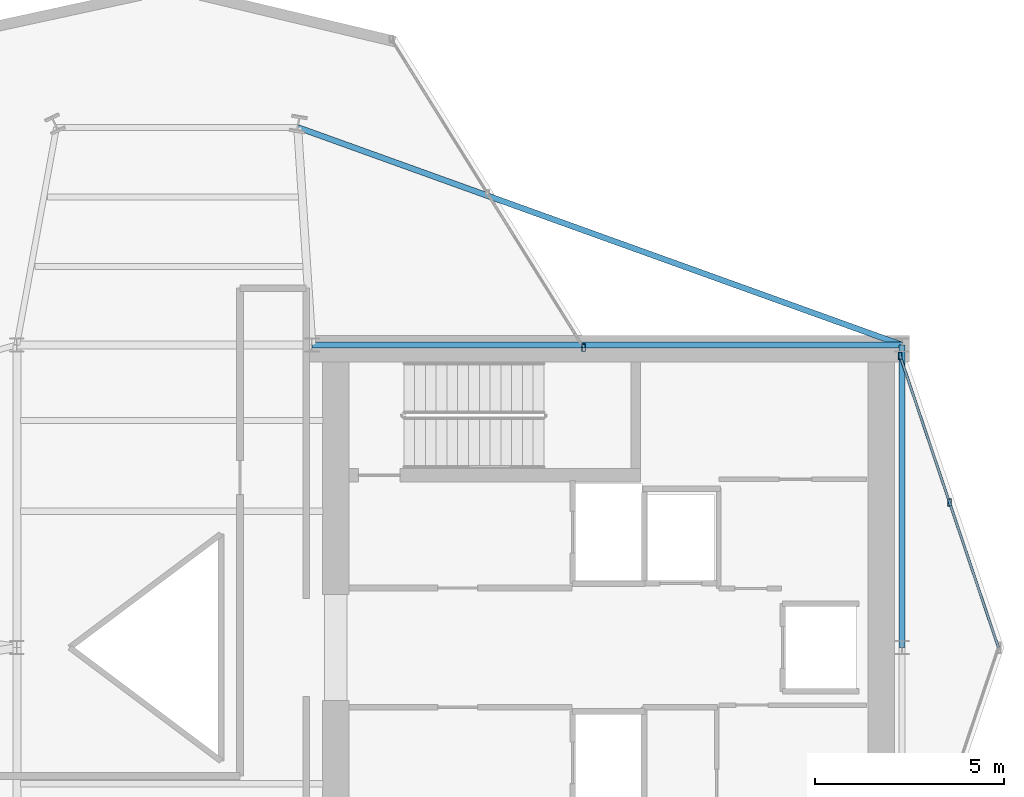
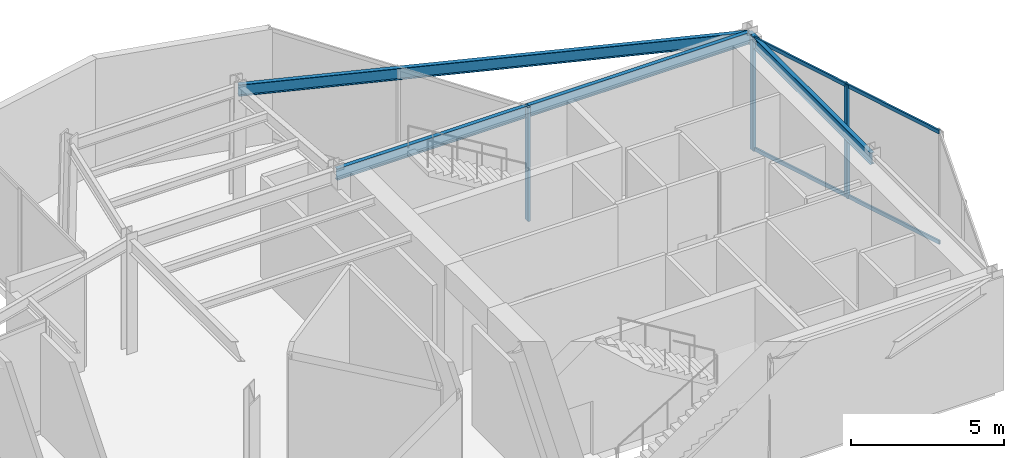
# One storey, part 7 of 14: 5 members, 3 beams, 2 elements without a shape of their own.
"""IFC4 building model written with IfcOpenShell, lengths in metres."""

from ifc_helpers import new_model, si_unit, direction, frame, origin, origin_2d, place, context, subcontext, project, spatial, hollow_rectangle, i_section, extrude, material, layer, layer_set, material_profile, profile_set, type_object, element, aggregate, save


model = new_model("IFC4")

# Units and contexts
model_context = context("Model", 3, precision=1e-05, world=origin(), true_north=direction((0.0, 1.0)))
body_context = subcontext(model_context, "Body", "Model", "MODEL_VIEW")
ifc_project = project(units=[si_unit("LENGTHUNIT", "METRE"), si_unit("AREAUNIT", "SQUARE_METRE"), si_unit("VOLUMEUNIT", "CUBIC_METRE"), si_unit("PLANEANGLEUNIT", "RADIAN"), si_unit("MASSUNIT", "GRAM", prefix="KILO")], contexts=[model_context])

# Site, building, storey
site_placement = place(None, origin())
site = spatial("IfcSite", under=ifc_project, at=site_placement, CompositionType="ELEMENT")
building_placement = place(site_placement, origin())
building = spatial("IfcBuilding", under=site, at=building_placement, Name="Veymaron Broadcast Tower", CompositionType="ELEMENT")
storey_placement = place(building_placement, frame((0.0, 0.0, 187.050048828125)))
storey = spatial("IfcBuildingStorey", under=building, at=storey_placement, Name="L43", CompositionType="ELEMENT", Elevation=187.050048828125)

# Beams
ifc_material_1 = material(Name="Structural steel ASTM A992 Gr 50", Category="steel")
ifc_material_profile_1 = material_profile(ifc_material_1, i_section(OverallWidth=0.154052734375, OverallDepth=0.458984375, WebThickness=0.009033203125, FlangeThickness=0.015380859375, at=origin_2d()), Name="W460X68")
ifc_profile_set_1 = profile_set([ifc_material_profile_1], Name="Structural steel ASTM A992 Gr 50")
beam_type = type_object("IfcBeamType", Name="BM-SP2", PredefinedType="SPANDREL", material=ifc_profile_set_1)
beam_1_placement = place(storey_placement, frame((39.0, 32.0, 4.310546875), z_axis=(1.0, 0.0, 0.0), x_axis=(0.0, 1.0, 0.0)))
element("IfcBeam", 1, at=beam_1_placement, inside=storey, type_object=beam_type, Name="L43 primary structural floor girder", PredefinedType="SPANDREL", context=body_context, shape_type="SweptSolid", body=[
    extrude(i_section(OverallWidth=0.154052734375, OverallDepth=0.458984375, WebThickness=0.009033203125, FlangeThickness=0.015380859375, at=origin_2d()), origin(), (0.0, 0.0, 1.0), 15.60009765625),
])
beam_2_placement = place(storey_placement, frame((54.60009765625, 24.0, 4.310546875), z_axis=(0.0, 1.0, 0.0), x_axis=(-1.0, 0.0, 0.0)))
element("IfcBeam", 2, at=beam_2_placement, inside=storey, type_object=beam_type, Name="L43 primary structural floor girder", PredefinedType="SPANDREL", context=body_context, shape_type="SweptSolid", body=[
    extrude(i_section(OverallWidth=0.154052734375, OverallDepth=0.458984375, WebThickness=0.009033203125, FlangeThickness=0.015380859375, at=origin_2d()), origin(), (0.0, 0.0, 1.0), 8.0),
])
beam_3_placement = place(storey_placement, frame((54.60009765625, 32.0, 4.310546875), z_axis=(-0.940906840948, 0.33866549375, 0.0), x_axis=(-0.33866549375, -0.940906840948, 0.0)))
element("IfcBeam", 3, at=beam_3_placement, inside=storey, type_object=beam_type, Name="L43 primary structural floor girder", PredefinedType="SPANDREL", context=body_context, shape_type="SweptSolid", body=[
    extrude(i_section(OverallWidth=0.154052734375, OverallDepth=0.458984375, WebThickness=0.009033203125, FlangeThickness=0.015380859375, at=origin_2d()), origin(), (0.0, 0.0, 1.0), 16.978515625),
])

# Curtain wall, members
ifc_material_2 = material(Name="Anodised aluminium AA 6063-T6 and laminated low-E dark glass", Category="aluminium")
ifc_layer = layer(ifc_material_2, 0.179931640625)
ifc_layer_set = layer_set([ifc_layer], Name="Anodised aluminium AA 6063-T6 and laminated low-E dark glass")
curtain_wall_type = type_object("IfcCurtainWallType", Name="CW-SYS-04", PredefinedType="NOTDEFINED", material=ifc_layer_set)
curtain_wall_1_placement = place(storey_placement, origin())
curtain_wall_1 = element("IfcCurtainWall", 4, at=curtain_wall_1_placement, inside=storey, type_object=curtain_wall_type, Name="L43 dark-glass curtain wall CW-L43-E3-1", PredefinedType="NOTDEFINED")
ifc_material_3 = material(Name="Anodised aluminium AA 6063-T6", Category="aluminium")
ifc_material_profile_2 = material_profile(ifc_material_3, hollow_rectangle(XDim=0.10009765625, YDim=0.199951171875, WallThickness=0.010009765625, at=origin_2d()), Name="RHS200X100X10")
ifc_profile_set_2 = profile_set([ifc_material_profile_2], Name="Anodised aluminium AA 6063-T6")
member_type_1 = type_object("IfcMemberType", Name="CW-MUL-01", PredefinedType="MULLION", material=ifc_profile_set_2)
member_1_placement = place(storey_placement, frame((55.856689453125, 27.832763671875, 0.0), z_axis=(0.0, 0.0, 1.0), x_axis=(1.0, 0.0, 0.0)))
member_1 = element("IfcMember", 5, at=member_1_placement, type_object=member_type_1, Name="CW-L43-E3-1 mullion 1", PredefinedType="MULLION", context=body_context, shape_type="SweptSolid", body=[
    extrude(hollow_rectangle(XDim=0.10009765625, YDim=0.199951171875, WallThickness=0.010009765625, at=origin_2d()), origin(), (0.0, 0.0, 1.0), 4.5400390625),
])
member_2_placement = place(storey_placement, frame((54.5498046875, 31.710205078125, 0.0), z_axis=(0.0, 0.0, 1.0), x_axis=(1.0, 0.0, 0.0)))
member_2 = element("IfcMember", 6, at=member_2_placement, type_object=member_type_1, Name="CW-L43-E3-1 mullion 2", PredefinedType="MULLION", context=body_context, shape_type="SweptSolid", body=[
    extrude(hollow_rectangle(XDim=0.10009765625, YDim=0.199951171875, WallThickness=0.010009765625, at=origin_2d()), origin(), (0.0, 0.0, 1.0), 4.5400390625),
])

# Curtain wall, member
curtain_wall_2_placement = place(storey_placement, origin())
curtain_wall_2 = element("IfcCurtainWall", 7, at=curtain_wall_2_placement, inside=storey, type_object=curtain_wall_type, Name="L43 dark-glass curtain wall CW-L43-E5-1", PredefinedType="NOTDEFINED")
member_3_placement = place(storey_placement, frame((46.1826171875, 31.926025390625, 0.0), z_axis=(0.0, 0.0, 1.0), x_axis=(1.0, 0.0, 0.0)))
member_3 = element("IfcMember", 8, at=member_3_placement, type_object=member_type_1, Name="CW-L43-E5-1 mullion 0", PredefinedType="MULLION", context=body_context, shape_type="SweptSolid", body=[
    extrude(hollow_rectangle(XDim=0.10009765625, YDim=0.199951171875, WallThickness=0.010009765625, at=origin_2d()), origin(), (0.0, 0.0, 1.0), 4.5400390625),
])
aggregate(curtain_wall_2, [member_3])

# Member
ifc_material_profile_3 = material_profile(ifc_material_3, hollow_rectangle(XDim=0.06494140625, YDim=0.14990234375, WallThickness=0.00390625, at=origin_2d()), Name="AL150X65X4")
ifc_profile_set_3 = profile_set([ifc_material_profile_3], Name="Anodised aluminium AA 6063-T6")
member_type_2 = type_object("IfcMemberType", Name="CW-TRN-01", PredefinedType="USERDEFINED", material=ifc_profile_set_3)
member_4_placement = place(storey_placement, frame((57.147705078125, 24.002685546875, 0.070068359375), z_axis=(-0.319388178798, 0.947623971438, 0.0), x_axis=(-0.947623971438, -0.319388178798, 0.0)))
member_4 = element("IfcMember", 9, at=member_4_placement, type_object=member_type_2, Name="CW-L43-E3-1 transom B", ObjectType="TRANSOM", PredefinedType="USERDEFINED", context=body_context, shape_type="SweptSolid", body=[
    extrude(hollow_rectangle(XDim=0.06494140625, YDim=0.14990234375, WallThickness=0.00390625, at=origin_2d()), origin(), (0.0, 0.0, 1.0), 8.08349609375),
])

member_5_placement = place(storey_placement, frame((57.147705078125, 24.002685546875, 4.469970703125), z_axis=(-0.319388178798, 0.947623971438, 0.0), x_axis=(-0.947623971438, -0.319388178798, 0.0)))
member_5 = element("IfcMember", 10, at=member_5_placement, type_object=member_type_2, Name="CW-L43-E3-1 transom T", ObjectType="TRANSOM", PredefinedType="USERDEFINED", context=body_context, shape_type="SweptSolid", body=[
    extrude(hollow_rectangle(XDim=0.06494140625, YDim=0.14990234375, WallThickness=0.00390625, at=origin_2d()), origin(), (0.0, 0.0, 1.0), 8.08349609375),
])

aggregate(curtain_wall_1, [member_1, member_2, member_4, member_5])

save(model, "model.ifc")
